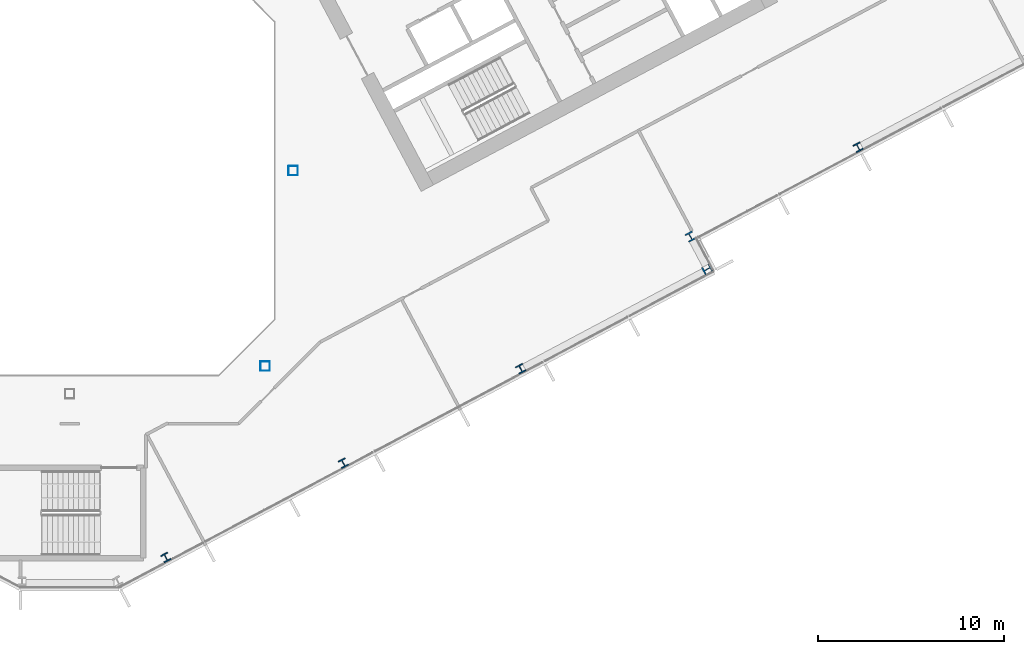
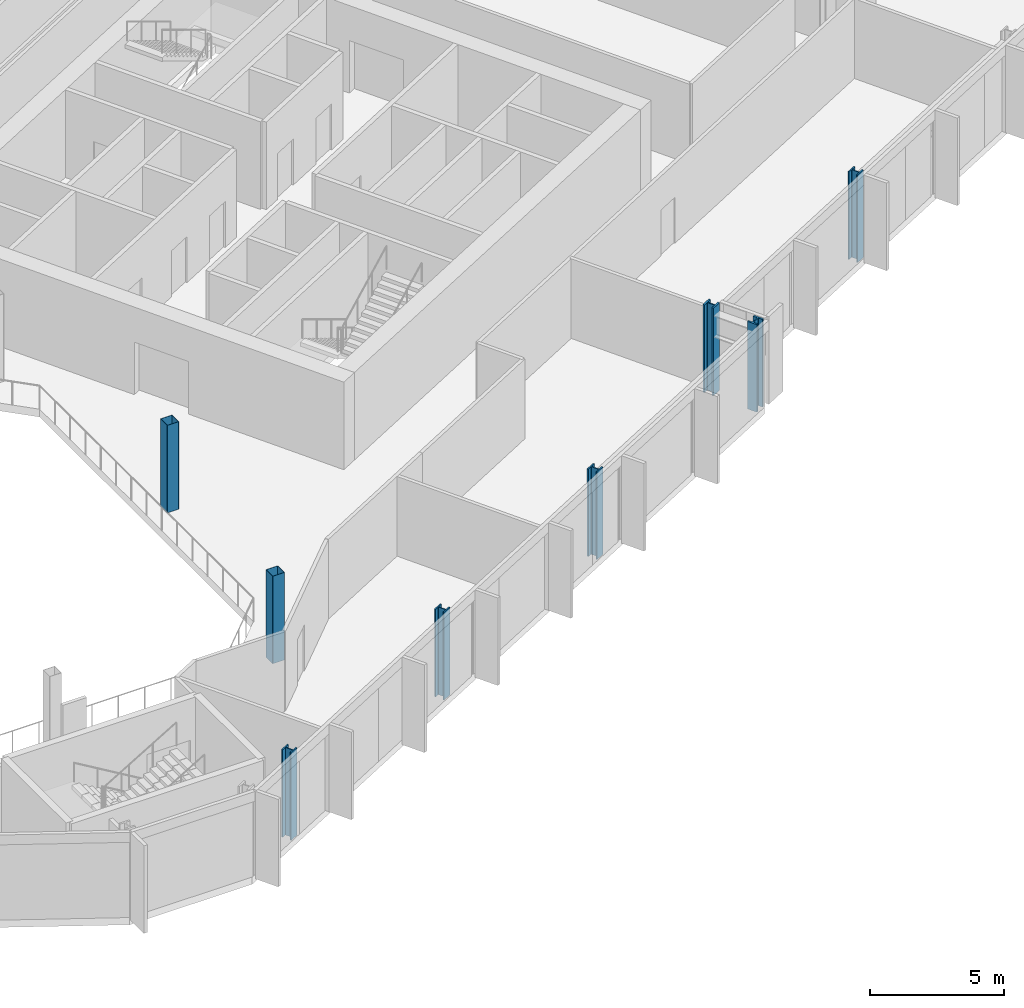
# One storey, part 5 of 28: 8 columns.
"""IFC4 building model written with IfcOpenShell, lengths in metres."""

from ifc_helpers import new_model, si_unit, direction, frame, origin, origin_2d, place, context, subcontext, project, spatial, hollow_rectangle, i_section, extrude, material, material_profile, profile_set, type_object, element, save


model = new_model("IFC4")

# Units and contexts
model_context = context("Model", 3, precision=1e-05, world=origin(), true_north=direction((0.0, 1.0)))
body_context = subcontext(model_context, "Body", "Model", "MODEL_VIEW")
ifc_project = project(units=[si_unit("LENGTHUNIT", "METRE"), si_unit("AREAUNIT", "SQUARE_METRE"), si_unit("VOLUMEUNIT", "CUBIC_METRE"), si_unit("PLANEANGLEUNIT", "RADIAN"), si_unit("MASSUNIT", "GRAM", prefix="KILO")], contexts=[model_context])

# Site, building, storey
site_placement = place(None, origin())
site = spatial("IfcSite", under=ifc_project, at=site_placement, CompositionType="ELEMENT")
building_placement = place(site_placement, origin())
building = spatial("IfcBuilding", under=site, at=building_placement, Name="Cormorant Relay Tower", CompositionType="ELEMENT")
storey_placement = place(building_placement, frame((0.0, 0.0, 154.199951171875)))
storey = spatial("IfcBuildingStorey", under=building, at=storey_placement, Name="L32", CompositionType="ELEMENT", Elevation=154.199951171875)

# Columns
ifc_material_1 = material(Name="Steel ASTM A500 Grade C (Fy 345 MPa)", Category="steel")
ifc_material_profile_1 = material_profile(ifc_material_1, hollow_rectangle(XDim=0.508056640625, YDim=0.508056640625, WallThickness=0.01171875, InnerFilletRadius=0.005859375, OuterFilletRadius=0.017822265625, at=origin_2d()), Name="HSS508x508x12")
ifc_profile_set_1 = profile_set([ifc_material_profile_1], Name="Steel ASTM A500 Grade C (Fy 345 MPa)")
column_type_1 = type_object("IfcColumnType", Name="Column HSS508x508x12", PredefinedType="COLUMN", material=ifc_profile_set_1)
for number, where, z_axis, x_axis, name in (
    (1, (10.5, -10.5, 0.0), (0.0, 0.0, 1.0), (1.0, 0.0, 0.0), "Column L32-010"),
    (2, (12.0, 0.0, 0.0), (0.0, 0.0, 1.0), (1.0, 0.0, 0.0), "Column L32-016"),
):
    element("IfcColumn", number, at=place(storey_placement, frame(where, z_axis=z_axis, x_axis=x_axis)), inside=storey, type_object=column_type_1, Name=name, PredefinedType="COLUMN", context=body_context, shape_type="SweptSolid", body=[
        extrude(hollow_rectangle(XDim=0.508056640625, YDim=0.508056640625, WallThickness=0.01171875, InnerFilletRadius=0.005859375, OuterFilletRadius=0.017822265625, at=origin_2d()), origin(), (0.0, 0.0, 1.0), 4.0),
    ])
ifc_material_2 = material(Name="Steel ASTM A992 (Fy 345 MPa)", Category="steel")
ifc_material_profile_2 = material_profile(ifc_material_2, i_section(OverallWidth=0.41162109375, OverallDepth=0.434326171875, WebThickness=0.035888671875, FlangeThickness=0.057373046875, FilletRadius=0.01513671875, at=origin_2d()), Name="W360x463")
ifc_profile_set_2 = profile_set([ifc_material_profile_2], Name="Steel ASTM A992 (Fy 345 MPa)")
column_type_2 = type_object("IfcColumnType", Name="Column W360x463", PredefinedType="COLUMN", material=ifc_profile_set_2)
for number, where, z_axis, x_axis, name in (
    (3, (5.1640625, -20.7890625, 0.0), (0.0, 0.0, 1.0), (0.882947592859, 0.469471562786, 0.0), "Column L32-003"),
    (4, (14.699951171875, -15.718994140625, 0.0), (0.0, 0.0, 1.0), (0.882947592859, 0.469471562786, 0.0), "Column L32-005"),
    (5, (24.236083984375, -10.64794921875, 0.0), (0.0, 0.0, 1.0), (0.882947592859, 0.469471562786, 0.0), "Column L32-008"),
    (6, (42.368896484375, 1.258056640625, 0.0), (0.0, 0.0, 1.0), (0.882947592859, 0.469471562786, 0.0), "Column L32-017"),
):
    element("IfcColumn", number, at=place(storey_placement, frame(where, z_axis=z_axis, x_axis=x_axis)), inside=storey, type_object=column_type_2, Name=name, PredefinedType="COLUMN", context=body_context, shape_type="SweptSolid", body=[
        extrude(i_section(OverallWidth=0.41162109375, OverallDepth=0.434326171875, WebThickness=0.035888671875, FlangeThickness=0.057373046875, FilletRadius=0.01513671875, at=origin_2d()), origin(), (0.0, 0.0, 1.0), 4.0),
    ])
ifc_material_3 = material(Name="Steel ASTM A992 (Fy 345 MPa)", Category="steel")
ifc_material_profile_3 = material_profile(ifc_material_3, i_section(OverallWidth=0.42431640625, OverallDepth=0.47509765625, WebThickness=0.0478515625, FlangeThickness=0.0771484375, FilletRadius=0.014892578125, at=origin_2d()), Name="W360x634")
ifc_profile_set_3 = profile_set([ifc_material_profile_3], Name="Steel ASTM A992 (Fy 345 MPa)")
column_type_3 = type_object("IfcColumnType", Name="Column W360x634", PredefinedType="COLUMN", material=ifc_profile_set_3)
for number, where, z_axis, x_axis, name in (
    (7, (34.256103515625, -5.297119140625, 0.0), (0.0, 0.0, 1.0), (-0.469471562786, 0.882947592859, 0.0), "Column L32-012"),
    (8, (33.35595703125, -3.54296875, 0.0), (0.0, 0.0, 1.0), (0.882947592859, 0.469471562786, 0.0), "Column L32-014"),
):
    element("IfcColumn", number, at=place(storey_placement, frame(where, z_axis=z_axis, x_axis=x_axis)), inside=storey, type_object=column_type_3, Name=name, PredefinedType="COLUMN", context=body_context, shape_type="SweptSolid", body=[
        extrude(i_section(OverallWidth=0.42431640625, OverallDepth=0.47509765625, WebThickness=0.0478515625, FlangeThickness=0.0771484375, FilletRadius=0.014892578125, at=origin_2d()), origin(), (0.0, 0.0, 1.0), 4.0),
    ])

save(model, "model.ifc")
